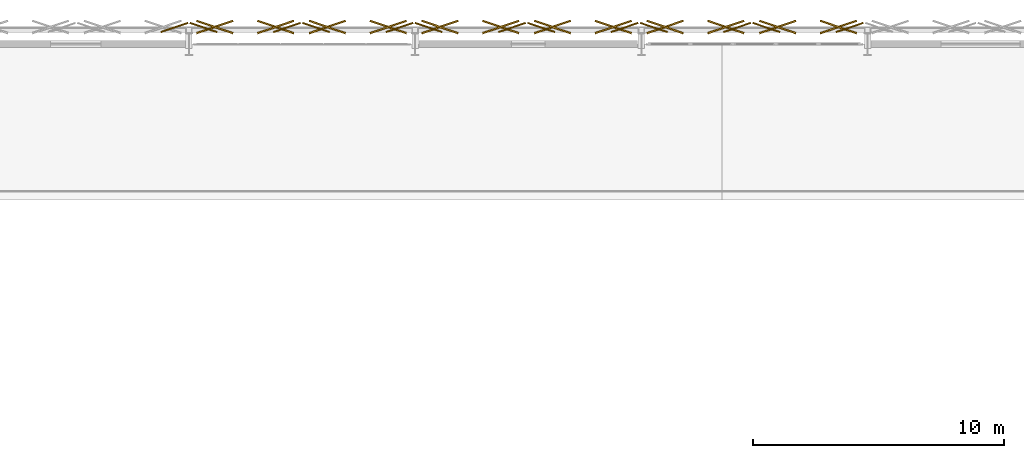
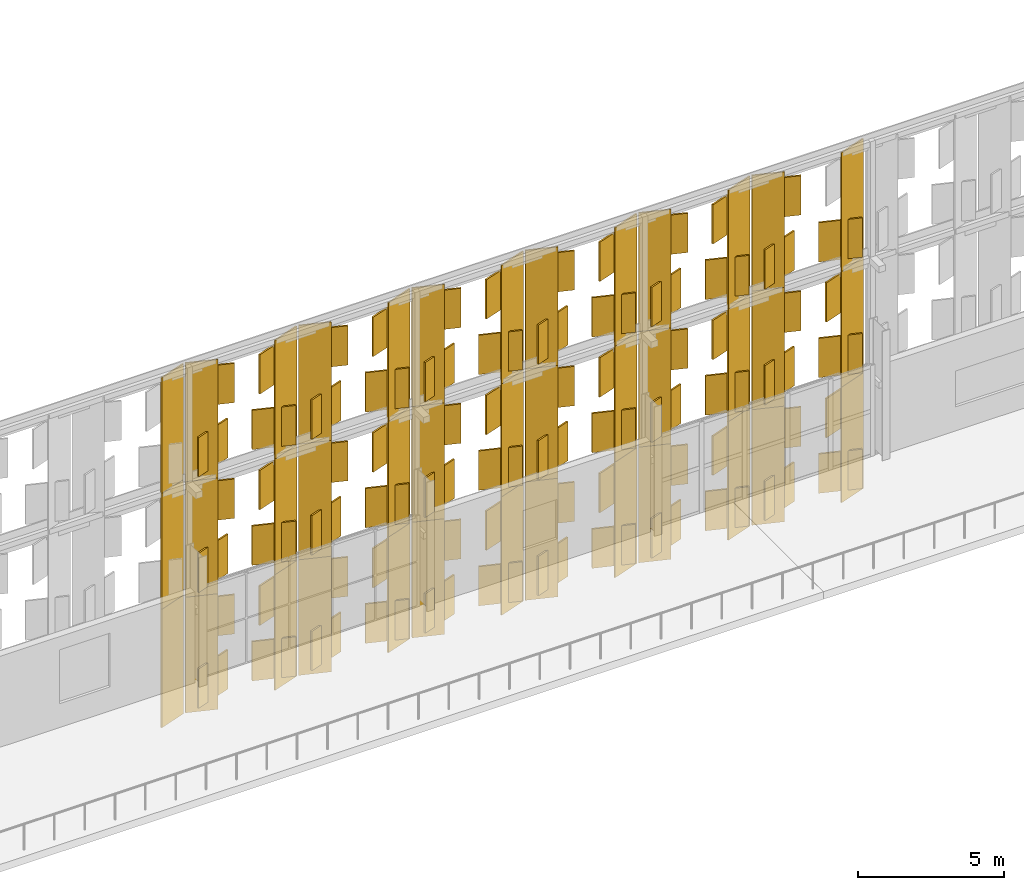
# One storey, part 200 of 210: 110 coverings.
"""IFC4 building model written with IfcOpenShell, lengths in metres."""

from ifc_helpers import new_model, si_unit, direction, frame, origin, origin_2d, place, context, subcontext, project, spatial, rectangle, extrude, material, layer, layer_set, type_object, element, save


model = new_model("IFC4")

# Units and contexts
model_context = context("Model", 3, precision=1e-05, world=origin(), true_north=direction((0.0, 1.0)))
body_context = subcontext(model_context, "Body", "Model", "MODEL_VIEW")
ifc_project = project(units=[si_unit("LENGTHUNIT", "METRE"), si_unit("AREAUNIT", "SQUARE_METRE"), si_unit("VOLUMEUNIT", "CUBIC_METRE"), si_unit("PLANEANGLEUNIT", "RADIAN"), si_unit("MASSUNIT", "GRAM", prefix="KILO")], contexts=[model_context])

# Site, building, storey
site_placement = place(None, origin())
site = spatial("IfcSite", under=ifc_project, at=site_placement, CompositionType="ELEMENT")
building_placement = place(site_placement, origin())
building = spatial("IfcBuilding", under=site, at=building_placement, Name="Kaldris Quays Convention Centre", CompositionType="ELEMENT")
storey_placement = place(building_placement, frame((0.0, 0.0, 6.0)))
storey = spatial("IfcBuildingStorey", under=building, at=storey_placement, Name="L01", CompositionType="ELEMENT", Elevation=6.0)

# Coverings
ifc_material = material(Name="Alabaster white star-pierced anodized aluminium panel", Category="aluminium")
ifc_layer = layer(ifc_material, 0.044921875)
ifc_layer_set = layer_set([ifc_layer], Name="Alabaster white star-pierced anodized aluminium panel")
covering_type = type_object("IfcCoveringType", Name="STAR PIERCED WHITE FOLDED SCREEN CL01", PredefinedType="CLADDING", material=ifc_layer_set)
covering_1_placement = place(storey_placement, frame((82.417724609375, 140.659912109375, -1.91015625), z_axis=(0.0, 0.0, 1.0), x_axis=(0.945518575599, 0.325568154457, 0.0)))
element("IfcCovering", 1, at=covering_1_placement, inside=storey, type_object=covering_type, Name="V1N Folded White Screen Stile 806", PredefinedType="CLADDING", context=body_context, shape_type="SweptSolid", body=[
    extrude(rectangle(XDim=1.136962890625, YDim=0.054931640625, at=origin_2d()), origin(), (0.0, 0.0, 1.0), 4.952880859375),
])
covering_2_placement = place(storey_placement, frame((82.417724609375, 140.659912109375, 2.9228515625), z_axis=(0.0, 0.0, 1.0), x_axis=(0.945518575599, 0.325568154457, 0.0)))
element("IfcCovering", 2, at=covering_2_placement, inside=storey, type_object=covering_type, Name="V1N Folded White Screen Stile 812", PredefinedType="CLADDING", context=body_context, shape_type="SweptSolid", body=[
    extrude(rectangle(XDim=1.136962890625, YDim=0.054931640625, at=origin_2d()), origin(), (0.0, 0.0, 1.0), 4.9541015625),
])
for number, where, z_axis, x_axis, name in (
    (3, (82.417724609375, 140.659912109375, 7.7568359375), (0.0, 0.0, 1.0), (0.945518575599, 0.325568154457, 0.0), "V1N Folded White Screen Stile 818"),
    (4, (83.582275390625, 140.659912109375, -1.91015625), (0.0, 0.0, 1.0), (0.945518575599, -0.325568154457, 0.0), "V1N Folded White Screen Stile 823"),
    (5, (86.896484375, 140.659912109375, -1.91015625), (0.0, 0.0, 1.0), (0.945518575599, 0.325568154457, 0.0), "V1N Folded White Screen Stile 824"),
):
    element("IfcCovering", number, at=place(storey_placement, frame(where, z_axis=z_axis, x_axis=x_axis)), inside=storey, type_object=covering_type, Name=name, PredefinedType="CLADDING", context=body_context, shape_type="SweptSolid", body=[
        extrude(rectangle(XDim=1.136962890625, YDim=0.054931640625, at=origin_2d()), origin(), (0.0, 0.0, 1.0), 4.952880859375),
    ])
for number, where, z_axis, x_axis, name in (
    (6, (84.030029296875, 140.679931640625, -1.559814453125), (0.0, 0.0, 1.0), (0.945518575599, 0.325568154457, 0.0), "V1N Carved Star Corner Facet 825"),
    (7, (84.030029296875, 140.679931640625, 1.0498046875), (0.0, 0.0, 1.0), (0.945518575599, -0.325568154457, 0.0), "V1N Carved Star Corner Facet 826"),
    (8, (86.448486328125, 140.679931640625, -1.559814453125), (0.0, 0.0, 1.0), (0.945518575599, -0.325568154457, 0.0), "V1N Carved Star Corner Facet 827"),
    (9, (86.448486328125, 140.679931640625, 1.0498046875), (0.0, 0.0, 1.0), (0.945518575599, 0.325568154457, 0.0), "V1N Carved Star Corner Facet 828"),
):
    element("IfcCovering", number, at=place(storey_placement, frame(where, z_axis=z_axis, x_axis=x_axis)), inside=storey, type_object=covering_type, Name=name, PredefinedType="CLADDING", context=body_context, shape_type="SweptSolid", body=[
        extrude(rectangle(XDim=1.52294921875, YDim=0.06494140625, at=origin_2d()), origin(), (0.0, 0.0, 1.0), 1.64306640625),
    ])
for number, where, z_axis, x_axis, name in (
    (10, (83.582275390625, 140.659912109375, 2.9228515625), (0.0, 0.0, 1.0), (0.945518575599, -0.325568154457, 0.0), "V1N Folded White Screen Stile 829"),
    (11, (86.896484375, 140.659912109375, 2.9228515625), (0.0, 0.0, 1.0), (0.945518575599, 0.325568154457, 0.0), "V1N Folded White Screen Stile 830"),
):
    element("IfcCovering", number, at=place(storey_placement, frame(where, z_axis=z_axis, x_axis=x_axis)), inside=storey, type_object=covering_type, Name=name, PredefinedType="CLADDING", context=body_context, shape_type="SweptSolid", body=[
        extrude(rectangle(XDim=1.136962890625, YDim=0.054931640625, at=origin_2d()), origin(), (0.0, 0.0, 1.0), 4.9541015625),
    ])
for number, where, z_axis, x_axis, name in (
    (12, (84.030029296875, 140.679931640625, 3.272705078125), (0.0, 0.0, 1.0), (0.945518575599, 0.325568154457, 0.0), "V1N Carved Star Corner Facet 831"),
    (13, (84.030029296875, 140.679931640625, 5.883056640625), (0.0, 0.0, 1.0), (0.945518575599, -0.325568154457, 0.0), "V1N Carved Star Corner Facet 832"),
    (14, (86.448486328125, 140.679931640625, 3.272705078125), (0.0, 0.0, 1.0), (0.945518575599, -0.325568154457, 0.0), "V1N Carved Star Corner Facet 833"),
    (15, (86.448486328125, 140.679931640625, 5.883056640625), (0.0, 0.0, 1.0), (0.945518575599, 0.325568154457, 0.0), "V1N Carved Star Corner Facet 834"),
):
    element("IfcCovering", number, at=place(storey_placement, frame(where, z_axis=z_axis, x_axis=x_axis)), inside=storey, type_object=covering_type, Name=name, PredefinedType="CLADDING", context=body_context, shape_type="SweptSolid", body=[
        extrude(rectangle(XDim=1.52294921875, YDim=0.06494140625, at=origin_2d()), origin(), (0.0, 0.0, 1.0), 1.64404296875),
    ])
for number, where, z_axis, x_axis, name in (
    (16, (83.582275390625, 140.659912109375, 7.7568359375), (0.0, 0.0, 1.0), (0.945518575599, -0.325568154457, 0.0), "V1N Folded White Screen Stile 835"),
    (17, (86.896484375, 140.659912109375, 7.7568359375), (0.0, 0.0, 1.0), (0.945518575599, 0.325568154457, 0.0), "V1N Folded White Screen Stile 836"),
):
    element("IfcCovering", number, at=place(storey_placement, frame(where, z_axis=z_axis, x_axis=x_axis)), inside=storey, type_object=covering_type, Name=name, PredefinedType="CLADDING", context=body_context, shape_type="SweptSolid", body=[
        extrude(rectangle(XDim=1.136962890625, YDim=0.054931640625, at=origin_2d()), origin(), (0.0, 0.0, 1.0), 4.952880859375),
    ])
for number, where, z_axis, x_axis, name in (
    (18, (84.030029296875, 140.679931640625, 8.107177734375), (0.0, 0.0, 1.0), (0.945518575599, 0.325568154457, 0.0), "V1N Carved Star Corner Facet 837"),
    (19, (84.030029296875, 140.679931640625, 10.716796875), (0.0, 0.0, 1.0), (0.945518575599, -0.325568154457, 0.0), "V1N Carved Star Corner Facet 838"),
    (20, (86.448486328125, 140.679931640625, 8.107177734375), (0.0, 0.0, 1.0), (0.945518575599, -0.325568154457, 0.0), "V1N Carved Star Corner Facet 839"),
    (21, (86.448486328125, 140.679931640625, 10.716796875), (0.0, 0.0, 1.0), (0.945518575599, 0.325568154457, 0.0), "V1N Carved Star Corner Facet 840"),
):
    element("IfcCovering", number, at=place(storey_placement, frame(where, z_axis=z_axis, x_axis=x_axis)), inside=storey, type_object=covering_type, Name=name, PredefinedType="CLADDING", context=body_context, shape_type="SweptSolid", body=[
        extrude(rectangle(XDim=1.52294921875, YDim=0.06494140625, at=origin_2d()), origin(), (0.0, 0.0, 1.0), 1.64306640625),
    ])
for number, where, z_axis, x_axis, name in (
    (22, (88.060791015625, 140.659912109375, -1.91015625), (0.0, 0.0, 1.0), (0.945518575599, -0.325568154457, 0.0), "V1N Folded White Screen Stile 841"),
    (23, (91.375, 140.659912109375, -1.91015625), (0.0, 0.0, 1.0), (0.945518575599, 0.325568154457, 0.0), "V1N Folded White Screen Stile 842"),
):
    element("IfcCovering", number, at=place(storey_placement, frame(where, z_axis=z_axis, x_axis=x_axis)), inside=storey, type_object=covering_type, Name=name, PredefinedType="CLADDING", context=body_context, shape_type="SweptSolid", body=[
        extrude(rectangle(XDim=1.136962890625, YDim=0.054931640625, at=origin_2d()), origin(), (0.0, 0.0, 1.0), 4.952880859375),
    ])
for number, where, z_axis, x_axis, name in (
    (24, (88.508544921875, 140.679931640625, -1.559814453125), (0.0, 0.0, 1.0), (0.945518575599, 0.325568154457, 0.0), "V1N Carved Star Corner Facet 843"),
    (25, (88.508544921875, 140.679931640625, 1.0498046875), (0.0, 0.0, 1.0), (0.945518575599, -0.325568154457, 0.0), "V1N Carved Star Corner Facet 844"),
    (26, (90.927001953125, 140.679931640625, -1.559814453125), (0.0, 0.0, 1.0), (0.945518575599, -0.325568154457, 0.0), "V1N Carved Star Corner Facet 845"),
    (27, (90.927001953125, 140.679931640625, 1.0498046875), (0.0, 0.0, 1.0), (0.945518575599, 0.325568154457, 0.0), "V1N Carved Star Corner Facet 846"),
):
    element("IfcCovering", number, at=place(storey_placement, frame(where, z_axis=z_axis, x_axis=x_axis)), inside=storey, type_object=covering_type, Name=name, PredefinedType="CLADDING", context=body_context, shape_type="SweptSolid", body=[
        extrude(rectangle(XDim=1.52294921875, YDim=0.06494140625, at=origin_2d()), origin(), (0.0, 0.0, 1.0), 1.64306640625),
    ])
for number, where, z_axis, x_axis, name in (
    (28, (88.060791015625, 140.659912109375, 2.9228515625), (0.0, 0.0, 1.0), (0.945518575599, -0.325568154457, 0.0), "V1N Folded White Screen Stile 847"),
    (29, (91.375, 140.659912109375, 2.9228515625), (0.0, 0.0, 1.0), (0.945518575599, 0.325568154457, 0.0), "V1N Folded White Screen Stile 848"),
):
    element("IfcCovering", number, at=place(storey_placement, frame(where, z_axis=z_axis, x_axis=x_axis)), inside=storey, type_object=covering_type, Name=name, PredefinedType="CLADDING", context=body_context, shape_type="SweptSolid", body=[
        extrude(rectangle(XDim=1.136962890625, YDim=0.054931640625, at=origin_2d()), origin(), (0.0, 0.0, 1.0), 4.9541015625),
    ])
for number, where, z_axis, x_axis, name in (
    (30, (88.508544921875, 140.679931640625, 3.272705078125), (0.0, 0.0, 1.0), (0.945518575599, 0.325568154457, 0.0), "V1N Carved Star Corner Facet 849"),
    (31, (88.508544921875, 140.679931640625, 5.883056640625), (0.0, 0.0, 1.0), (0.945518575599, -0.325568154457, 0.0), "V1N Carved Star Corner Facet 850"),
    (32, (90.927001953125, 140.679931640625, 3.272705078125), (0.0, 0.0, 1.0), (0.945518575599, -0.325568154457, 0.0), "V1N Carved Star Corner Facet 851"),
    (33, (90.927001953125, 140.679931640625, 5.883056640625), (0.0, 0.0, 1.0), (0.945518575599, 0.325568154457, 0.0), "V1N Carved Star Corner Facet 852"),
):
    element("IfcCovering", number, at=place(storey_placement, frame(where, z_axis=z_axis, x_axis=x_axis)), inside=storey, type_object=covering_type, Name=name, PredefinedType="CLADDING", context=body_context, shape_type="SweptSolid", body=[
        extrude(rectangle(XDim=1.52294921875, YDim=0.06494140625, at=origin_2d()), origin(), (0.0, 0.0, 1.0), 1.64404296875),
    ])
for number, where, z_axis, x_axis, name in (
    (34, (88.060791015625, 140.659912109375, 7.7568359375), (0.0, 0.0, 1.0), (0.945518575599, -0.325568154457, 0.0), "V1N Folded White Screen Stile 853"),
    (35, (91.375, 140.659912109375, 7.7568359375), (0.0, 0.0, 1.0), (0.945518575599, 0.325568154457, 0.0), "V1N Folded White Screen Stile 854"),
):
    element("IfcCovering", number, at=place(storey_placement, frame(where, z_axis=z_axis, x_axis=x_axis)), inside=storey, type_object=covering_type, Name=name, PredefinedType="CLADDING", context=body_context, shape_type="SweptSolid", body=[
        extrude(rectangle(XDim=1.136962890625, YDim=0.054931640625, at=origin_2d()), origin(), (0.0, 0.0, 1.0), 4.952880859375),
    ])
for number, where, z_axis, x_axis, name in (
    (36, (88.508544921875, 140.679931640625, 8.107177734375), (0.0, 0.0, 1.0), (0.945518575599, 0.325568154457, 0.0), "V1N Carved Star Corner Facet 855"),
    (37, (88.508544921875, 140.679931640625, 10.716796875), (0.0, 0.0, 1.0), (0.945518575599, -0.325568154457, 0.0), "V1N Carved Star Corner Facet 856"),
    (38, (90.927001953125, 140.679931640625, 8.107177734375), (0.0, 0.0, 1.0), (0.945518575599, -0.325568154457, 0.0), "V1N Carved Star Corner Facet 857"),
    (39, (90.927001953125, 140.679931640625, 10.716796875), (0.0, 0.0, 1.0), (0.945518575599, 0.325568154457, 0.0), "V1N Carved Star Corner Facet 858"),
):
    element("IfcCovering", number, at=place(storey_placement, frame(where, z_axis=z_axis, x_axis=x_axis)), inside=storey, type_object=covering_type, Name=name, PredefinedType="CLADDING", context=body_context, shape_type="SweptSolid", body=[
        extrude(rectangle(XDim=1.52294921875, YDim=0.06494140625, at=origin_2d()), origin(), (0.0, 0.0, 1.0), 1.64306640625),
    ])
for number, where, z_axis, x_axis, name in (
    (40, (92.539306640625, 140.659912109375, -1.91015625), (0.0, 0.0, 1.0), (0.945518575599, -0.325568154457, 0.0), "V1N Folded White Screen Stile 859"),
    (41, (95.853515625, 140.659912109375, -1.91015625), (0.0, 0.0, 1.0), (0.945518575599, 0.325568154457, 0.0), "V1N Folded White Screen Stile 860"),
):
    element("IfcCovering", number, at=place(storey_placement, frame(where, z_axis=z_axis, x_axis=x_axis)), inside=storey, type_object=covering_type, Name=name, PredefinedType="CLADDING", context=body_context, shape_type="SweptSolid", body=[
        extrude(rectangle(XDim=1.136962890625, YDim=0.054931640625, at=origin_2d()), origin(), (0.0, 0.0, 1.0), 4.952880859375),
    ])
for number, where, z_axis, x_axis, name in (
    (42, (92.9873046875, 140.679931640625, -1.559814453125), (0.0, 0.0, 1.0), (0.945518575599, 0.325568154457, 0.0), "V1N Carved Star Corner Facet 861"),
    (43, (92.9873046875, 140.679931640625, 1.0498046875), (0.0, 0.0, 1.0), (0.945518575599, -0.325568154457, 0.0), "V1N Carved Star Corner Facet 862"),
    (44, (95.405517578125, 140.679931640625, -1.559814453125), (0.0, 0.0, 1.0), (0.945518575599, -0.325568154457, 0.0), "V1N Carved Star Corner Facet 863"),
    (45, (95.405517578125, 140.679931640625, 1.0498046875), (0.0, 0.0, 1.0), (0.945518575599, 0.325568154457, 0.0), "V1N Carved Star Corner Facet 864"),
):
    element("IfcCovering", number, at=place(storey_placement, frame(where, z_axis=z_axis, x_axis=x_axis)), inside=storey, type_object=covering_type, Name=name, PredefinedType="CLADDING", context=body_context, shape_type="SweptSolid", body=[
        extrude(rectangle(XDim=1.52294921875, YDim=0.06494140625, at=origin_2d()), origin(), (0.0, 0.0, 1.0), 1.64306640625),
    ])
for number, where, z_axis, x_axis, name in (
    (46, (92.539306640625, 140.659912109375, 2.9228515625), (0.0, 0.0, 1.0), (0.945518575599, -0.325568154457, 0.0), "V1N Folded White Screen Stile 865"),
    (47, (95.853515625, 140.659912109375, 2.9228515625), (0.0, 0.0, 1.0), (0.945518575599, 0.325568154457, 0.0), "V1N Folded White Screen Stile 866"),
):
    element("IfcCovering", number, at=place(storey_placement, frame(where, z_axis=z_axis, x_axis=x_axis)), inside=storey, type_object=covering_type, Name=name, PredefinedType="CLADDING", context=body_context, shape_type="SweptSolid", body=[
        extrude(rectangle(XDim=1.136962890625, YDim=0.054931640625, at=origin_2d()), origin(), (0.0, 0.0, 1.0), 4.9541015625),
    ])
for number, where, z_axis, x_axis, name in (
    (48, (92.9873046875, 140.679931640625, 3.272705078125), (0.0, 0.0, 1.0), (0.945518575599, 0.325568154457, 0.0), "V1N Carved Star Corner Facet 867"),
    (49, (92.9873046875, 140.679931640625, 5.883056640625), (0.0, 0.0, 1.0), (0.945518575599, -0.325568154457, 0.0), "V1N Carved Star Corner Facet 868"),
    (50, (95.405517578125, 140.679931640625, 3.272705078125), (0.0, 0.0, 1.0), (0.945518575599, -0.325568154457, 0.0), "V1N Carved Star Corner Facet 869"),
    (51, (95.405517578125, 140.679931640625, 5.883056640625), (0.0, 0.0, 1.0), (0.945518575599, 0.325568154457, 0.0), "V1N Carved Star Corner Facet 870"),
):
    element("IfcCovering", number, at=place(storey_placement, frame(where, z_axis=z_axis, x_axis=x_axis)), inside=storey, type_object=covering_type, Name=name, PredefinedType="CLADDING", context=body_context, shape_type="SweptSolid", body=[
        extrude(rectangle(XDim=1.52294921875, YDim=0.06494140625, at=origin_2d()), origin(), (0.0, 0.0, 1.0), 1.64404296875),
    ])
for number, where, z_axis, x_axis, name in (
    (52, (92.539306640625, 140.659912109375, 7.7568359375), (0.0, 0.0, 1.0), (0.945518575599, -0.325568154457, 0.0), "V1N Folded White Screen Stile 871"),
    (53, (95.853515625, 140.659912109375, 7.7568359375), (0.0, 0.0, 1.0), (0.945518575599, 0.325568154457, 0.0), "V1N Folded White Screen Stile 872"),
):
    element("IfcCovering", number, at=place(storey_placement, frame(where, z_axis=z_axis, x_axis=x_axis)), inside=storey, type_object=covering_type, Name=name, PredefinedType="CLADDING", context=body_context, shape_type="SweptSolid", body=[
        extrude(rectangle(XDim=1.136962890625, YDim=0.054931640625, at=origin_2d()), origin(), (0.0, 0.0, 1.0), 4.952880859375),
    ])
for number, where, z_axis, x_axis, name in (
    (54, (92.9873046875, 140.679931640625, 8.107177734375), (0.0, 0.0, 1.0), (0.945518575599, 0.325568154457, 0.0), "V1N Carved Star Corner Facet 873"),
    (55, (92.9873046875, 140.679931640625, 10.716796875), (0.0, 0.0, 1.0), (0.945518575599, -0.325568154457, 0.0), "V1N Carved Star Corner Facet 874"),
    (56, (95.405517578125, 140.679931640625, 8.107177734375), (0.0, 0.0, 1.0), (0.945518575599, -0.325568154457, 0.0), "V1N Carved Star Corner Facet 875"),
    (57, (95.405517578125, 140.679931640625, 10.716796875), (0.0, 0.0, 1.0), (0.945518575599, 0.325568154457, 0.0), "V1N Carved Star Corner Facet 876"),
):
    element("IfcCovering", number, at=place(storey_placement, frame(where, z_axis=z_axis, x_axis=x_axis)), inside=storey, type_object=covering_type, Name=name, PredefinedType="CLADDING", context=body_context, shape_type="SweptSolid", body=[
        extrude(rectangle(XDim=1.52294921875, YDim=0.06494140625, at=origin_2d()), origin(), (0.0, 0.0, 1.0), 1.64306640625),
    ])
for number, where, z_axis, x_axis, name in (
    (58, (97.017822265625, 140.659912109375, -1.91015625), (0.0, 0.0, 1.0), (0.945518575599, -0.325568154457, 0.0), "V1N Folded White Screen Stile 877"),
    (59, (100.33203125, 140.659912109375, -1.91015625), (0.0, 0.0, 1.0), (0.945518575599, 0.325568154457, 0.0), "V1N Folded White Screen Stile 878"),
):
    element("IfcCovering", number, at=place(storey_placement, frame(where, z_axis=z_axis, x_axis=x_axis)), inside=storey, type_object=covering_type, Name=name, PredefinedType="CLADDING", context=body_context, shape_type="SweptSolid", body=[
        extrude(rectangle(XDim=1.136962890625, YDim=0.054931640625, at=origin_2d()), origin(), (0.0, 0.0, 1.0), 4.952880859375),
    ])
for number, where, z_axis, x_axis, name in (
    (60, (97.4658203125, 140.679931640625, -1.559814453125), (0.0, 0.0, 1.0), (0.945518575599, 0.325568154457, 0.0), "V1N Carved Star Corner Facet 879"),
    (61, (97.4658203125, 140.679931640625, 1.0498046875), (0.0, 0.0, 1.0), (0.945518575599, -0.325568154457, 0.0), "V1N Carved Star Corner Facet 880"),
    (62, (99.88427734375, 140.679931640625, -1.559814453125), (0.0, 0.0, 1.0), (0.945518575599, -0.325568154457, 0.0), "V1N Carved Star Corner Facet 881"),
    (63, (99.88427734375, 140.679931640625, 1.0498046875), (0.0, 0.0, 1.0), (0.945518575599, 0.325568154457, 0.0), "V1N Carved Star Corner Facet 882"),
):
    element("IfcCovering", number, at=place(storey_placement, frame(where, z_axis=z_axis, x_axis=x_axis)), inside=storey, type_object=covering_type, Name=name, PredefinedType="CLADDING", context=body_context, shape_type="SweptSolid", body=[
        extrude(rectangle(XDim=1.52294921875, YDim=0.06494140625, at=origin_2d()), origin(), (0.0, 0.0, 1.0), 1.64306640625),
    ])
for number, where, z_axis, x_axis, name in (
    (64, (97.017822265625, 140.659912109375, 2.9228515625), (0.0, 0.0, 1.0), (0.945518575599, -0.325568154457, 0.0), "V1N Folded White Screen Stile 883"),
    (65, (100.33203125, 140.659912109375, 2.9228515625), (0.0, 0.0, 1.0), (0.945518575599, 0.325568154457, 0.0), "V1N Folded White Screen Stile 884"),
):
    element("IfcCovering", number, at=place(storey_placement, frame(where, z_axis=z_axis, x_axis=x_axis)), inside=storey, type_object=covering_type, Name=name, PredefinedType="CLADDING", context=body_context, shape_type="SweptSolid", body=[
        extrude(rectangle(XDim=1.136962890625, YDim=0.054931640625, at=origin_2d()), origin(), (0.0, 0.0, 1.0), 4.9541015625),
    ])
for number, where, z_axis, x_axis, name in (
    (66, (97.4658203125, 140.679931640625, 3.272705078125), (0.0, 0.0, 1.0), (0.945518575599, 0.325568154457, 0.0), "V1N Carved Star Corner Facet 885"),
    (67, (97.4658203125, 140.679931640625, 5.883056640625), (0.0, 0.0, 1.0), (0.945518575599, -0.325568154457, 0.0), "V1N Carved Star Corner Facet 886"),
    (68, (99.88427734375, 140.679931640625, 3.272705078125), (0.0, 0.0, 1.0), (0.945518575599, -0.325568154457, 0.0), "V1N Carved Star Corner Facet 887"),
    (69, (99.88427734375, 140.679931640625, 5.883056640625), (0.0, 0.0, 1.0), (0.945518575599, 0.325568154457, 0.0), "V1N Carved Star Corner Facet 888"),
):
    element("IfcCovering", number, at=place(storey_placement, frame(where, z_axis=z_axis, x_axis=x_axis)), inside=storey, type_object=covering_type, Name=name, PredefinedType="CLADDING", context=body_context, shape_type="SweptSolid", body=[
        extrude(rectangle(XDim=1.52294921875, YDim=0.06494140625, at=origin_2d()), origin(), (0.0, 0.0, 1.0), 1.64404296875),
    ])
for number, where, z_axis, x_axis, name in (
    (70, (97.017822265625, 140.659912109375, 7.7568359375), (0.0, 0.0, 1.0), (0.945518575599, -0.325568154457, 0.0), "V1N Folded White Screen Stile 889"),
    (71, (100.33203125, 140.659912109375, 7.7568359375), (0.0, 0.0, 1.0), (0.945518575599, 0.325568154457, 0.0), "V1N Folded White Screen Stile 890"),
):
    element("IfcCovering", number, at=place(storey_placement, frame(where, z_axis=z_axis, x_axis=x_axis)), inside=storey, type_object=covering_type, Name=name, PredefinedType="CLADDING", context=body_context, shape_type="SweptSolid", body=[
        extrude(rectangle(XDim=1.136962890625, YDim=0.054931640625, at=origin_2d()), origin(), (0.0, 0.0, 1.0), 4.952880859375),
    ])
for number, where, z_axis, x_axis, name in (
    (72, (97.4658203125, 140.679931640625, 8.107177734375), (0.0, 0.0, 1.0), (0.945518575599, 0.325568154457, 0.0), "V1N Carved Star Corner Facet 891"),
    (73, (97.4658203125, 140.679931640625, 10.716796875), (0.0, 0.0, 1.0), (0.945518575599, -0.325568154457, 0.0), "V1N Carved Star Corner Facet 892"),
    (74, (99.88427734375, 140.679931640625, 8.107177734375), (0.0, 0.0, 1.0), (0.945518575599, -0.325568154457, 0.0), "V1N Carved Star Corner Facet 893"),
    (75, (99.88427734375, 140.679931640625, 10.716796875), (0.0, 0.0, 1.0), (0.945518575599, 0.325568154457, 0.0), "V1N Carved Star Corner Facet 894"),
):
    element("IfcCovering", number, at=place(storey_placement, frame(where, z_axis=z_axis, x_axis=x_axis)), inside=storey, type_object=covering_type, Name=name, PredefinedType="CLADDING", context=body_context, shape_type="SweptSolid", body=[
        extrude(rectangle(XDim=1.52294921875, YDim=0.06494140625, at=origin_2d()), origin(), (0.0, 0.0, 1.0), 1.64306640625),
    ])
for number, where, z_axis, x_axis, name in (
    (76, (101.49658203125, 140.659912109375, -1.91015625), (0.0, 0.0, 1.0), (0.945518575599, -0.325568154457, 0.0), "V1N Folded White Screen Stile 895"),
    (77, (104.810546875, 140.659912109375, -1.91015625), (0.0, 0.0, 1.0), (0.945518575599, 0.325568154457, 0.0), "V1N Folded White Screen Stile 896"),
):
    element("IfcCovering", number, at=place(storey_placement, frame(where, z_axis=z_axis, x_axis=x_axis)), inside=storey, type_object=covering_type, Name=name, PredefinedType="CLADDING", context=body_context, shape_type="SweptSolid", body=[
        extrude(rectangle(XDim=1.136962890625, YDim=0.054931640625, at=origin_2d()), origin(), (0.0, 0.0, 1.0), 4.952880859375),
    ])
for number, where, z_axis, x_axis, name in (
    (78, (101.9443359375, 140.679931640625, -1.559814453125), (0.0, 0.0, 1.0), (0.945518575599, 0.325568154457, 0.0), "V1N Carved Star Corner Facet 897"),
    (79, (101.9443359375, 140.679931640625, 1.0498046875), (0.0, 0.0, 1.0), (0.945518575599, -0.325568154457, 0.0), "V1N Carved Star Corner Facet 898"),
    (80, (104.36279296875, 140.679931640625, -1.559814453125), (0.0, 0.0, 1.0), (0.945518575599, -0.325568154457, 0.0), "V1N Carved Star Corner Facet 899"),
    (81, (104.36279296875, 140.679931640625, 1.0498046875), (0.0, 0.0, 1.0), (0.945518575599, 0.325568154457, 0.0), "V1N Carved Star Corner Facet 900"),
):
    element("IfcCovering", number, at=place(storey_placement, frame(where, z_axis=z_axis, x_axis=x_axis)), inside=storey, type_object=covering_type, Name=name, PredefinedType="CLADDING", context=body_context, shape_type="SweptSolid", body=[
        extrude(rectangle(XDim=1.52294921875, YDim=0.06494140625, at=origin_2d()), origin(), (0.0, 0.0, 1.0), 1.64306640625),
    ])
for number, where, z_axis, x_axis, name in (
    (82, (101.49658203125, 140.659912109375, 2.9228515625), (0.0, 0.0, 1.0), (0.945518575599, -0.325568154457, 0.0), "V1N Folded White Screen Stile 901"),
    (83, (104.810546875, 140.659912109375, 2.9228515625), (0.0, 0.0, 1.0), (0.945518575599, 0.325568154457, 0.0), "V1N Folded White Screen Stile 902"),
):
    element("IfcCovering", number, at=place(storey_placement, frame(where, z_axis=z_axis, x_axis=x_axis)), inside=storey, type_object=covering_type, Name=name, PredefinedType="CLADDING", context=body_context, shape_type="SweptSolid", body=[
        extrude(rectangle(XDim=1.136962890625, YDim=0.054931640625, at=origin_2d()), origin(), (0.0, 0.0, 1.0), 4.9541015625),
    ])
for number, where, z_axis, x_axis, name in (
    (84, (101.9443359375, 140.679931640625, 3.272705078125), (0.0, 0.0, 1.0), (0.945518575599, 0.325568154457, 0.0), "V1N Carved Star Corner Facet 903"),
    (85, (101.9443359375, 140.679931640625, 5.883056640625), (0.0, 0.0, 1.0), (0.945518575599, -0.325568154457, 0.0), "V1N Carved Star Corner Facet 904"),
    (86, (104.36279296875, 140.679931640625, 3.272705078125), (0.0, 0.0, 1.0), (0.945518575599, -0.325568154457, 0.0), "V1N Carved Star Corner Facet 905"),
    (87, (104.36279296875, 140.679931640625, 5.883056640625), (0.0, 0.0, 1.0), (0.945518575599, 0.325568154457, 0.0), "V1N Carved Star Corner Facet 906"),
):
    element("IfcCovering", number, at=place(storey_placement, frame(where, z_axis=z_axis, x_axis=x_axis)), inside=storey, type_object=covering_type, Name=name, PredefinedType="CLADDING", context=body_context, shape_type="SweptSolid", body=[
        extrude(rectangle(XDim=1.52294921875, YDim=0.06494140625, at=origin_2d()), origin(), (0.0, 0.0, 1.0), 1.64404296875),
    ])
for number, where, z_axis, x_axis, name in (
    (88, (101.49658203125, 140.659912109375, 7.7568359375), (0.0, 0.0, 1.0), (0.945518575599, -0.325568154457, 0.0), "V1N Folded White Screen Stile 907"),
    (89, (104.810546875, 140.659912109375, 7.7568359375), (0.0, 0.0, 1.0), (0.945518575599, 0.325568154457, 0.0), "V1N Folded White Screen Stile 908"),
):
    element("IfcCovering", number, at=place(storey_placement, frame(where, z_axis=z_axis, x_axis=x_axis)), inside=storey, type_object=covering_type, Name=name, PredefinedType="CLADDING", context=body_context, shape_type="SweptSolid", body=[
        extrude(rectangle(XDim=1.136962890625, YDim=0.054931640625, at=origin_2d()), origin(), (0.0, 0.0, 1.0), 4.952880859375),
    ])
for number, where, z_axis, x_axis, name in (
    (90, (101.9443359375, 140.679931640625, 8.107177734375), (0.0, 0.0, 1.0), (0.945518575599, 0.325568154457, 0.0), "V1N Carved Star Corner Facet 909"),
    (91, (101.9443359375, 140.679931640625, 10.716796875), (0.0, 0.0, 1.0), (0.945518575599, -0.325568154457, 0.0), "V1N Carved Star Corner Facet 910"),
    (92, (104.36279296875, 140.679931640625, 8.107177734375), (0.0, 0.0, 1.0), (0.945518575599, -0.325568154457, 0.0), "V1N Carved Star Corner Facet 911"),
    (93, (104.36279296875, 140.679931640625, 10.716796875), (0.0, 0.0, 1.0), (0.945518575599, 0.325568154457, 0.0), "V1N Carved Star Corner Facet 912"),
):
    element("IfcCovering", number, at=place(storey_placement, frame(where, z_axis=z_axis, x_axis=x_axis)), inside=storey, type_object=covering_type, Name=name, PredefinedType="CLADDING", context=body_context, shape_type="SweptSolid", body=[
        extrude(rectangle(XDim=1.52294921875, YDim=0.06494140625, at=origin_2d()), origin(), (0.0, 0.0, 1.0), 1.64306640625),
    ])
for number, where, z_axis, x_axis, name in (
    (94, (105.97509765625, 140.659912109375, -1.91015625), (0.0, 0.0, 1.0), (0.945518575599, -0.325568154457, 0.0), "V1N Folded White Screen Stile 913"),
    (95, (109.289306640625, 140.659912109375, -1.91015625), (0.0, 0.0, 1.0), (0.945518575599, 0.325568154457, 0.0), "V1N Folded White Screen Stile 914"),
):
    element("IfcCovering", number, at=place(storey_placement, frame(where, z_axis=z_axis, x_axis=x_axis)), inside=storey, type_object=covering_type, Name=name, PredefinedType="CLADDING", context=body_context, shape_type="SweptSolid", body=[
        extrude(rectangle(XDim=1.136962890625, YDim=0.054931640625, at=origin_2d()), origin(), (0.0, 0.0, 1.0), 4.952880859375),
    ])
for number, where, z_axis, x_axis, name in (
    (96, (106.4228515625, 140.679931640625, -1.559814453125), (0.0, 0.0, 1.0), (0.945518575599, 0.325568154457, 0.0), "V1N Carved Star Corner Facet 915"),
    (97, (106.4228515625, 140.679931640625, 1.0498046875), (0.0, 0.0, 1.0), (0.945518575599, -0.325568154457, 0.0), "V1N Carved Star Corner Facet 916"),
    (98, (108.84130859375, 140.679931640625, -1.559814453125), (0.0, 0.0, 1.0), (0.945518575599, -0.325568154457, 0.0), "V1N Carved Star Corner Facet 917"),
    (99, (108.84130859375, 140.679931640625, 1.0498046875), (0.0, 0.0, 1.0), (0.945518575599, 0.325568154457, 0.0), "V1N Carved Star Corner Facet 918"),
):
    element("IfcCovering", number, at=place(storey_placement, frame(where, z_axis=z_axis, x_axis=x_axis)), inside=storey, type_object=covering_type, Name=name, PredefinedType="CLADDING", context=body_context, shape_type="SweptSolid", body=[
        extrude(rectangle(XDim=1.52294921875, YDim=0.06494140625, at=origin_2d()), origin(), (0.0, 0.0, 1.0), 1.64306640625),
    ])
for number, where, z_axis, x_axis, name in (
    (100, (105.97509765625, 140.659912109375, 2.9228515625), (0.0, 0.0, 1.0), (0.945518575599, -0.325568154457, 0.0), "V1N Folded White Screen Stile 919"),
    (101, (109.289306640625, 140.659912109375, 2.9228515625), (0.0, 0.0, 1.0), (0.945518575599, 0.325568154457, 0.0), "V1N Folded White Screen Stile 920"),
):
    element("IfcCovering", number, at=place(storey_placement, frame(where, z_axis=z_axis, x_axis=x_axis)), inside=storey, type_object=covering_type, Name=name, PredefinedType="CLADDING", context=body_context, shape_type="SweptSolid", body=[
        extrude(rectangle(XDim=1.136962890625, YDim=0.054931640625, at=origin_2d()), origin(), (0.0, 0.0, 1.0), 4.9541015625),
    ])
for number, where, z_axis, x_axis, name in (
    (102, (106.4228515625, 140.679931640625, 3.272705078125), (0.0, 0.0, 1.0), (0.945518575599, 0.325568154457, 0.0), "V1N Carved Star Corner Facet 921"),
    (103, (106.4228515625, 140.679931640625, 5.883056640625), (0.0, 0.0, 1.0), (0.945518575599, -0.325568154457, 0.0), "V1N Carved Star Corner Facet 922"),
    (104, (108.84130859375, 140.679931640625, 3.272705078125), (0.0, 0.0, 1.0), (0.945518575599, -0.325568154457, 0.0), "V1N Carved Star Corner Facet 923"),
    (105, (108.84130859375, 140.679931640625, 5.883056640625), (0.0, 0.0, 1.0), (0.945518575599, 0.325568154457, 0.0), "V1N Carved Star Corner Facet 924"),
):
    element("IfcCovering", number, at=place(storey_placement, frame(where, z_axis=z_axis, x_axis=x_axis)), inside=storey, type_object=covering_type, Name=name, PredefinedType="CLADDING", context=body_context, shape_type="SweptSolid", body=[
        extrude(rectangle(XDim=1.52294921875, YDim=0.06494140625, at=origin_2d()), origin(), (0.0, 0.0, 1.0), 1.64404296875),
    ])
for number, where, z_axis, x_axis, name in (
    (106, (105.97509765625, 140.659912109375, 7.7568359375), (0.0, 0.0, 1.0), (0.945518575599, -0.325568154457, 0.0), "V1N Folded White Screen Stile 925"),
    (107, (109.289306640625, 140.659912109375, 7.7568359375), (0.0, 0.0, 1.0), (0.945518575599, 0.325568154457, 0.0), "V1N Folded White Screen Stile 926"),
):
    element("IfcCovering", number, at=place(storey_placement, frame(where, z_axis=z_axis, x_axis=x_axis)), inside=storey, type_object=covering_type, Name=name, PredefinedType="CLADDING", context=body_context, shape_type="SweptSolid", body=[
        extrude(rectangle(XDim=1.136962890625, YDim=0.054931640625, at=origin_2d()), origin(), (0.0, 0.0, 1.0), 4.952880859375),
    ])
for number, where, z_axis, x_axis, name in (
    (108, (106.4228515625, 140.679931640625, 8.107177734375), (0.0, 0.0, 1.0), (0.945518575599, 0.325568154457, 0.0), "V1N Carved Star Corner Facet 927"),
    (109, (106.4228515625, 140.679931640625, 10.716796875), (0.0, 0.0, 1.0), (0.945518575599, -0.325568154457, 0.0), "V1N Carved Star Corner Facet 928"),
    (110, (108.84130859375, 140.679931640625, 8.107177734375), (0.0, 0.0, 1.0), (0.945518575599, -0.325568154457, 0.0), "V1N Carved Star Corner Facet 929"),
):
    element("IfcCovering", number, at=place(storey_placement, frame(where, z_axis=z_axis, x_axis=x_axis)), inside=storey, type_object=covering_type, Name=name, PredefinedType="CLADDING", context=body_context, shape_type="SweptSolid", body=[
        extrude(rectangle(XDim=1.52294921875, YDim=0.06494140625, at=origin_2d()), origin(), (0.0, 0.0, 1.0), 1.64306640625),
    ])

save(model, "model.ifc")
